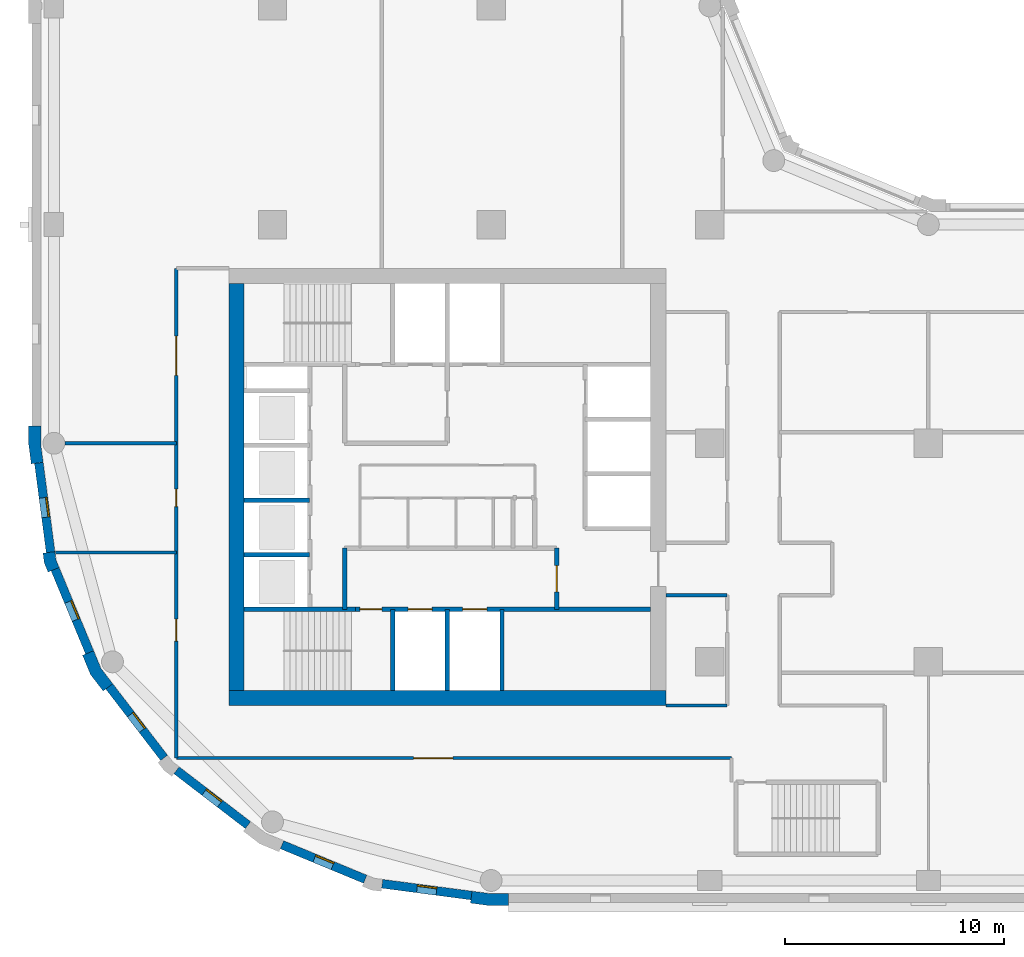
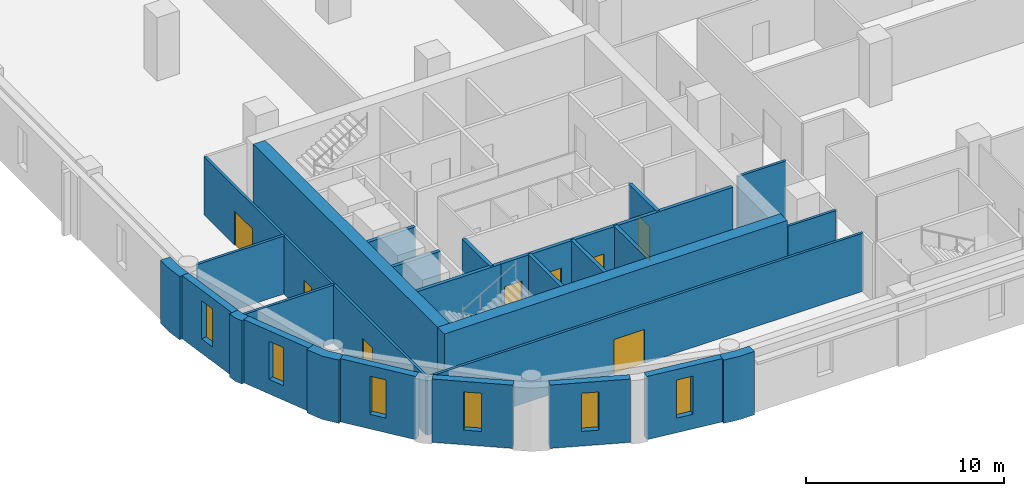
# One storey, part 2 of 9: 27 walls, 8 doors, 6 windows, 14 openings.
"""IFC4 building model written with IfcOpenShell, lengths in metres."""

from ifc_helpers import new_model, si_unit, direction, frame, frame_2d, origin, place, context, subcontext, project, spatial, polyline, rectangle, outline, extrude, material, layer, layer_set, type_object, element, fill, save


model = new_model("IFC4")

# Units and contexts
model_context = context("Model", 3, precision=1e-05, world=origin(), true_north=direction((0.0, 1.0)))
body_context = subcontext(model_context, "Body", "Model", "MODEL_VIEW")
ifc_project = project(units=[si_unit("LENGTHUNIT", "METRE"), si_unit("AREAUNIT", "SQUARE_METRE"), si_unit("VOLUMEUNIT", "CUBIC_METRE"), si_unit("PLANEANGLEUNIT", "RADIAN"), si_unit("MASSUNIT", "GRAM", prefix="KILO")], contexts=[model_context])

# Site, building, storey
site_placement = place(None, origin())
site = spatial("IfcSite", under=ifc_project, at=site_placement, CompositionType="ELEMENT")
building_placement = place(site_placement, origin())
building = spatial("IfcBuilding", under=site, at=building_placement, Name="Qaws Garden Tower", CompositionType="ELEMENT")
storey_placement = place(building_placement, frame((0.0, 0.0, 217.5)))
storey = spatial("IfcBuildingStorey", under=building, at=storey_placement, Name="L53", CompositionType="ELEMENT", Elevation=217.5)

# Wall, opening, window
ifc_material_1 = material(Name="Clay facing brick masonry", Category="masonry")
ifc_layer_1 = layer(ifc_material_1, 0.39990234375)
ifc_layer_set_1 = layer_set([ifc_layer_1], Name="Clay facing brick masonry")
wall_type_1 = type_object("IfcWallType", Name="Brick infill wall 400", PredefinedType="SOLIDWALL", material=ifc_layer_set_1)
wall_1_placement = place(storey_placement, frame((-0.688720703125, 19.102294921875, 0.0), z_axis=(0.0, 0.0, 1.0), x_axis=(0.130514280502, -0.991446429508, 0.0)))
wall_1 = element("IfcWall", 1, at=wall_1_placement, inside=storey, type_object=wall_type_1, Name="E-L53-infill-25", PredefinedType="SOLIDWALL", context=body_context, shape_type="SweptSolid", body=[
    extrude(rectangle(XDim=4.120849609375, YDim=0.39990234375, at=frame_2d((2.060546875, 0.0))), origin(), (0.0, 0.0, 1.0), 3.89990234375),
])
opening_1_placement = place(wall_1_placement, frame((1.610595703125, 0.0, 0.89990234375)))
opening_1 = element("IfcOpeningElement", 2, at=opening_1_placement, cuts=wall_1, Name="Opening W09", PredefinedType="OPENING", context=body_context, shape_type="SweptSolid", body=[
    extrude(rectangle(XDim=0.89990234375, YDim=2.35009765625, at=frame_2d((0.449951171875, 1.175048828125))), frame((0.0, 0.2099609375, 0.0), z_axis=(0.0, -1.0, 0.0), x_axis=(1.0, 0.0, 0.0)), (0.0, 0.0, 1.0), 0.419921875),
])
ifc_material_2 = material(Name="Aluminium framed window, clear glazing", Category="aluminium")
window_type = type_object("IfcWindowType", Name="Slit window 900 x 2350", PartitioningType="SINGLE_PANEL", PredefinedType="WINDOW", material=ifc_material_2)
window_1_placement = place(opening_1_placement, origin())
window_1 = element("IfcWindow", 3, at=window_1_placement, inside=storey, type_object=window_type, Name="E-L53-window-25-0", OverallHeight=2.35009765625, OverallWidth=0.89990234375, PartitioningType="SINGLE_PANEL", PredefinedType="WINDOW", context=body_context, shape_type="SweptSolid", body=[
    extrude(rectangle(XDim=0.89990234375, YDim=2.35009765625, at=frame_2d((0.449951171875, 1.175048828125))), frame((0.0, 0.159912109375, 0.0), z_axis=(0.0, -1.0, 0.0), x_axis=(1.0, 0.0, 0.0)), (0.0, 0.0, 1.0), 0.06005859375),
])
fill(opening_1, window_1)

wall_2_placement = place(storey_placement, frame((0.05712890625, 14.240234375, 0.0), z_axis=(0.0, 0.0, 1.0), x_axis=(0.382721546029, -0.923863744394, 0.0)))
wall_2 = element("IfcWall", 4, at=wall_2_placement, inside=storey, type_object=wall_type_1, Name="E-L53-infill-26", PredefinedType="SOLIDWALL", context=body_context, shape_type="SweptSolid", body=[
    extrude(rectangle(XDim=4.120849609375, YDim=0.39990234375, at=frame_2d((2.060546875, 0.0))), origin(), (0.0, 0.0, 1.0), 3.89990234375),
])
opening_2_placement = place(wall_2_placement, frame((1.610595703125, 0.0, 0.89990234375)))
opening_2 = element("IfcOpeningElement", 5, at=opening_2_placement, cuts=wall_2, Name="Opening W09", PredefinedType="OPENING", context=body_context, shape_type="SweptSolid", body=[
    extrude(rectangle(XDim=0.89990234375, YDim=2.35009765625, at=frame_2d((0.449951171875, 1.175048828125))), frame((0.0, 0.2099609375, 0.0), z_axis=(0.0, -1.0, 0.0), x_axis=(1.0, 0.0, 0.0)), (0.0, 0.0, 1.0), 0.419921875),
])
window_2_placement = place(opening_2_placement, origin())
window_2 = element("IfcWindow", 6, at=window_2_placement, inside=storey, type_object=window_type, Name="E-L53-window-26-0", OverallHeight=2.35009765625, OverallWidth=0.89990234375, PartitioningType="SINGLE_PANEL", PredefinedType="WINDOW", context=body_context, shape_type="SweptSolid", body=[
    extrude(rectangle(XDim=0.89990234375, YDim=2.35009765625, at=frame_2d((0.449951171875, 1.175048828125))), frame((0.0, 0.159912109375, 0.0), z_axis=(0.0, -1.0, 0.0), x_axis=(1.0, 0.0, 0.0)), (0.0, 0.0, 1.0), 0.06005859375),
])
fill(opening_2, window_2)

wall_3_placement = place(storey_placement, frame((2.53173828125, 8.87841796875, 0.0), z_axis=(0.0, 0.0, 1.0), x_axis=(0.608759824817, -0.793354571229, 0.0)))
wall_3 = element("IfcWall", 7, at=wall_3_placement, inside=storey, type_object=wall_type_1, Name="E-L53-infill-27", PredefinedType="SOLIDWALL", context=body_context, shape_type="SweptSolid", body=[
    extrude(rectangle(XDim=4.12109375, YDim=0.39990234375, at=frame_2d((2.060546875, 0.0))), origin(), (0.0, 0.0, 1.0), 3.89990234375),
])
opening_3_placement = place(wall_3_placement, frame((1.610595703125, 0.0, 0.89990234375)))
opening_3 = element("IfcOpeningElement", 8, at=opening_3_placement, cuts=wall_3, Name="Opening W09", PredefinedType="OPENING", context=body_context, shape_type="SweptSolid", body=[
    extrude(rectangle(XDim=0.89990234375, YDim=2.35009765625, at=frame_2d((0.449951171875, 1.175048828125))), frame((0.0, 0.2099609375, 0.0), z_axis=(0.0, -1.0, 0.0), x_axis=(1.0, 0.0, 0.0)), (0.0, 0.0, 1.0), 0.419921875),
])
window_3_placement = place(opening_3_placement, origin())
window_3 = element("IfcWindow", 9, at=window_3_placement, inside=storey, type_object=window_type, Name="E-L53-window-27-0", OverallHeight=2.35009765625, OverallWidth=0.89990234375, PartitioningType="SINGLE_PANEL", PredefinedType="WINDOW", context=body_context, shape_type="SweptSolid", body=[
    extrude(rectangle(XDim=0.89990234375, YDim=2.35009765625, at=frame_2d((0.449951171875, 1.175048828125))), frame((0.0, 0.159912109375, 0.0), z_axis=(0.0, -1.0, 0.0), x_axis=(1.0, 0.0, 0.0)), (0.0, 0.0, 1.0), 0.06005859375),
])
fill(opening_3, window_3)

wall_4_placement = place(storey_placement, frame((5.60888671875, 5.04052734375, 0.0), z_axis=(0.0, 0.0, 1.0), x_axis=(0.793354571229, -0.608759824817, 0.0)))
wall_4 = element("IfcWall", 10, at=wall_4_placement, inside=storey, type_object=wall_type_1, Name="E-L53-infill-28", PredefinedType="SOLIDWALL", context=body_context, shape_type="SweptSolid", body=[
    extrude(rectangle(XDim=4.12109375, YDim=0.39990234375, at=frame_2d((2.060546875, 0.0))), origin(), (0.0, 0.0, 1.0), 3.89990234375),
])
opening_4_placement = place(wall_4_placement, frame((1.610595703125, 0.0, 0.89990234375)))
opening_4 = element("IfcOpeningElement", 11, at=opening_4_placement, cuts=wall_4, Name="Opening W09", PredefinedType="OPENING", context=body_context, shape_type="SweptSolid", body=[
    extrude(rectangle(XDim=0.89990234375, YDim=2.35009765625, at=frame_2d((0.449951171875, 1.175048828125))), frame((0.0, 0.2099609375, 0.0), z_axis=(0.0, -1.0, 0.0), x_axis=(1.0, 0.0, 0.0)), (0.0, 0.0, 1.0), 0.419921875),
])
window_4_placement = place(opening_4_placement, origin())
window_4 = element("IfcWindow", 12, at=window_4_placement, inside=storey, type_object=window_type, Name="E-L53-window-28-0", OverallHeight=2.35009765625, OverallWidth=0.89990234375, PartitioningType="SINGLE_PANEL", PredefinedType="WINDOW", context=body_context, shape_type="SweptSolid", body=[
    extrude(rectangle(XDim=0.89990234375, YDim=2.35009765625, at=frame_2d((0.449951171875, 1.175048828125))), frame((0.0, 0.159912109375, 0.0), z_axis=(0.0, -1.0, 0.0), x_axis=(1.0, 0.0, 0.0)), (0.0, 0.0, 1.0), 0.06005859375),
])
fill(opening_4, window_4)

wall_5_placement = place(storey_placement, frame((10.43310546875, 1.63427734375, 0.0), z_axis=(0.0, 0.0, 1.0), x_axis=(0.923863744394, -0.382721546029, 0.0)))
wall_5 = element("IfcWall", 13, at=wall_5_placement, inside=storey, type_object=wall_type_1, Name="E-L53-infill-29", PredefinedType="SOLIDWALL", context=body_context, shape_type="SweptSolid", body=[
    extrude(rectangle(XDim=4.120849609375, YDim=0.39990234375, at=frame_2d((2.060546875, 0.0))), origin(), (0.0, 0.0, 1.0), 3.89990234375),
])
opening_5_placement = place(wall_5_placement, frame((1.610595703125, 0.0, 0.89990234375)))
opening_5 = element("IfcOpeningElement", 14, at=opening_5_placement, cuts=wall_5, Name="Opening W09", PredefinedType="OPENING", context=body_context, shape_type="SweptSolid", body=[
    extrude(rectangle(XDim=0.89990234375, YDim=2.35009765625, at=frame_2d((0.449951171875, 1.175048828125))), frame((0.0, 0.2099609375, 0.0), z_axis=(0.0, -1.0, 0.0), x_axis=(1.0, 0.0, 0.0)), (0.0, 0.0, 1.0), 0.419921875),
])
window_5_placement = place(opening_5_placement, origin())
window_5 = element("IfcWindow", 15, at=window_5_placement, inside=storey, type_object=window_type, Name="E-L53-window-29-0", OverallHeight=2.35009765625, OverallWidth=0.89990234375, PartitioningType="SINGLE_PANEL", PredefinedType="WINDOW", context=body_context, shape_type="SweptSolid", body=[
    extrude(rectangle(XDim=0.89990234375, YDim=2.35009765625, at=frame_2d((0.449951171875, 1.175048828125))), frame((0.0, 0.159912109375, 0.0), z_axis=(0.0, -1.0, 0.0), x_axis=(1.0, 0.0, 0.0)), (0.0, 0.0, 1.0), 0.06005859375),
])
fill(opening_5, window_5)

wall_6_placement = place(storey_placement, frame((15.0166015625, -0.15087890625, 0.0), z_axis=(0.0, 0.0, 1.0), x_axis=(0.991446429508, -0.130514280502, 0.0)))
wall_6 = element("IfcWall", 16, at=wall_6_placement, inside=storey, type_object=wall_type_1, Name="E-L53-infill-30", PredefinedType="SOLIDWALL", context=body_context, shape_type="SweptSolid", body=[
    extrude(rectangle(XDim=4.120849609375, YDim=0.39990234375, at=frame_2d((2.060546875, 0.0))), origin(), (0.0, 0.0, 1.0), 3.89990234375),
])
opening_6_placement = place(wall_6_placement, frame((1.610595703125, 0.0, 0.89990234375)))
opening_6 = element("IfcOpeningElement", 17, at=opening_6_placement, cuts=wall_6, Name="Opening W09", PredefinedType="OPENING", context=body_context, shape_type="SweptSolid", body=[
    extrude(rectangle(XDim=0.89990234375, YDim=2.35009765625, at=frame_2d((0.449951171875, 1.175048828125))), frame((0.0, 0.2099609375, 0.0), z_axis=(0.0, -1.0, 0.0), x_axis=(1.0, 0.0, 0.0)), (0.0, 0.0, 1.0), 0.419921875),
])
window_6_placement = place(opening_6_placement, origin())
window_6 = element("IfcWindow", 18, at=window_6_placement, inside=storey, type_object=window_type, Name="E-L53-window-30-0", OverallHeight=2.35009765625, OverallWidth=0.89990234375, PartitioningType="SINGLE_PANEL", PredefinedType="WINDOW", context=body_context, shape_type="SweptSolid", body=[
    extrude(rectangle(XDim=0.89990234375, YDim=2.35009765625, at=frame_2d((0.449951171875, 1.175048828125))), frame((0.0, 0.159912109375, 0.0), z_axis=(0.0, -1.0, 0.0), x_axis=(1.0, 0.0, 0.0)), (0.0, 0.0, 1.0), 0.06005859375),
])
fill(opening_6, window_6)

# Walls
ifc_material_3 = material(Name="Clay facing brick masonry", Category="masonry")
ifc_layer_2 = layer(ifc_material_3, 0.550048828125)
ifc_layer_set_2 = layer_set([ifc_layer_2], Name="Clay facing brick masonry")
wall_type_2 = type_object("IfcWallType", Name="Brick kink pier 550 x 600", PredefinedType="SOLIDWALL", material=ifc_layer_set_2)
placement = place(storey_placement, origin())
element("IfcWall", 19, at=placement, inside=storey, type_object=wall_type_2, Name="E-L53-pier-26", PredefinedType="SOLIDWALL", context=body_context, shape_type="SweptSolid", body=[
    extrude(outline(polyline([(-0.34912109375, 14.990478515625), (-0.497802734375, 14.970947265625), (-0.43896484375, 14.5234375), (-0.26611328125, 14.1064453125), (-0.127685546875, 14.163818359375), (0.241943359375, 14.31689453125), (0.096923828125, 14.6669921875), (0.04736328125, 15.042724609375), (-0.34912109375, 14.990478515625)])), origin(), (0.0, 0.0, 1.0), 3.89990234375),
])
ifc_material_4 = material(Name="Clay facing brick masonry", Category="masonry")
ifc_layer_3 = layer(ifc_material_4, 0.550048828125)
ifc_layer_set_3 = layer_set([ifc_layer_3], Name="Clay facing brick masonry")
wall_type_3 = type_object("IfcWallType", Name="Brick pier 550 x 1600", PredefinedType="SOLIDWALL", material=ifc_layer_set_3)
element("IfcWall", 20, at=placement, inside=storey, type_object=wall_type_3, Name="E-L53-pier-00", PredefinedType="SOLIDWALL", context=body_context, shape_type="SweptSolid", body=[
    extrude(outline(polyline([(19.076416015625, -0.886962890625), (19.056640625, -1.03564453125), (19.924560546875, -1.14990234375), (20.800048828125, -1.14990234375), (20.800048828125, -1.0), (20.800048828125, -0.60009765625), (19.960693359375, -0.60009765625), (19.12841796875, -0.490478515625), (19.076416015625, -0.886962890625)])), origin(), (0.0, 0.0, 1.0), 3.89990234375),
])
element("IfcWall", 21, at=placement, inside=storey, type_object=wall_type_3, Name="E-L53-pier-25", PredefinedType="SOLIDWALL", context=body_context, shape_type="SweptSolid", body=[
    extrude(outline(polyline([(-1.0, 20.800048828125), (-1.14990234375, 20.800048828125), (-1.14990234375, 19.924560546875), (-1.03564453125, 19.056640625), (-0.886962890625, 19.076416015625), (-0.490478515625, 19.12841796875), (-0.60009765625, 19.960693359375), (-0.60009765625, 20.800048828125), (-1.0, 20.800048828125)])), origin(), (0.0, 0.0, 1.0), 3.89990234375),
])
element("IfcWall", 22, at=placement, inside=storey, type_object=wall_type_3, Name="E-L53-pier-27", PredefinedType="SOLIDWALL", context=body_context, shape_type="SweptSolid", body=[
    extrude(outline(polyline([(1.449462890625, 10.3564453125), (1.310791015625, 10.299072265625), (1.675048828125, 9.419921875), (2.254150390625, 8.665283203125), (2.373046875, 8.756591796875), (2.6904296875, 9.0), (2.1552734375, 9.697509765625), (1.819091796875, 10.509521484375), (1.449462890625, 10.3564453125)])), origin(), (0.0, 0.0, 1.0), 3.89990234375),
])
ifc_material_5 = material(Name="Concrete C70", Category="concrete")
ifc_layer_4 = layer(ifc_material_5, 0.199951171875)
ifc_layer_set_4 = layer_set([ifc_layer_4], Name="Concrete C70")
wall_type_4 = type_object("IfcWallType", Name="Core shaft wall 200 C70", PredefinedType="SHEAR", material=ifc_layer_set_4)
wall_11_placement = place(storey_placement, frame((8.699951171875, 12.39990234375, 0.0), z_axis=(0.0, 0.0, 1.0), x_axis=(1.0, 0.0, 0.0)))
element("IfcWall", 23, at=wall_11_placement, inside=storey, type_object=wall_type_4, Name="Shaft wall", PredefinedType="SHEAR", context=body_context, shape_type="SweptSolid", body=[
    extrude(rectangle(XDim=5.10009765625, YDim=0.199951171875, at=frame_2d((2.550048828125, 0.0))), origin(), (0.0, 0.0, 1.0), 3.580078125),
])

# Wall, openings, doors
wall_12_placement = place(storey_placement, frame((13.800048828125, 12.39990234375, 0.0), z_axis=(0.0, 0.0, 1.0), x_axis=(1.0, 0.0, 0.0)))
wall_12 = element("IfcWall", 24, at=wall_12_placement, inside=storey, type_object=wall_type_4, Name="Shaft wall", PredefinedType="SHEAR", context=body_context, shape_type="SweptSolid", body=[
    extrude(rectangle(XDim=13.5, YDim=0.199951171875, at=frame_2d((6.75, 0.0))), origin(), (0.0, 0.0, 1.0), 3.580078125),
])
opening_7_placement = place(wall_12_placement, frame((2.39990234375, 0.0, 0.0)))
opening_7 = element("IfcOpeningElement", 25, at=opening_7_placement, cuts=wall_12, Name="Opening LD06", PredefinedType="OPENING", context=body_context, shape_type="SweptSolid", body=[
    extrude(rectangle(XDim=1.10009765625, YDim=2.10009765625, at=frame_2d((0.550048828125, 1.050048828125))), frame((0.0, 0.10986328125, 0.0), z_axis=(0.0, -1.0, 0.0), x_axis=(1.0, 0.0, 0.0)), (0.0, 0.0, 1.0), 0.219970703125),
])
opening_8_placement = place(wall_12_placement, frame((4.89990234375, 0.0, 0.0)))
opening_8 = element("IfcOpeningElement", 26, at=opening_8_placement, cuts=wall_12, Name="Opening LD07", PredefinedType="OPENING", context=body_context, shape_type="SweptSolid", body=[
    extrude(rectangle(XDim=1.10009765625, YDim=2.10009765625, at=frame_2d((0.550048828125, 1.050048828125))), frame((0.0, 0.10986328125, 0.0), z_axis=(0.0, -1.0, 0.0), x_axis=(1.0, 0.0, 0.0)), (0.0, 0.0, 1.0), 0.219970703125),
])
opening_9_placement = place(wall_12_placement, frame((0.199951171875, 0.0, 0.0)))
opening_9 = element("IfcOpeningElement", 27, at=opening_9_placement, cuts=wall_12, Name="Opening SD10", PredefinedType="OPENING", context=body_context, shape_type="SweptSolid", body=[
    extrude(rectangle(XDim=1.0, YDim=2.10009765625, at=frame_2d((0.5, 1.050048828125))), frame((0.0, 0.10986328125, 0.0), z_axis=(0.0, -1.0, 0.0), x_axis=(1.0, 0.0, 0.0)), (0.0, 0.0, 1.0), 0.219970703125),
])
ifc_material_6 = material(Name="Steel S235", Category="steel")
door_type_1 = type_object("IfcDoorType", Name="Landing door 1100x2100", OperationType="DOUBLE_DOOR_SLIDING", PredefinedType="DOOR", material=ifc_material_6)
door_1_placement = place(opening_7_placement, origin())
door_1 = element("IfcDoor", 28, at=door_1_placement, inside=storey, type_object=door_type_1, Name="Lift FF1 landing door", OperationType="DOUBLE_DOOR_SLIDING", OverallHeight=2.10009765625, OverallWidth=1.10009765625, PredefinedType="DOOR", context=body_context, shape_type="SweptSolid", body=[
    extrude(rectangle(XDim=1.10009765625, YDim=2.10009765625, at=frame_2d((0.550048828125, 1.050048828125))), frame((0.0, 0.02490234375, 0.0), z_axis=(0.0, -1.0, 0.0), x_axis=(1.0, 0.0, 0.0)), (0.0, 0.0, 1.0), 0.050048828125),
])
fill(opening_7, door_1)
door_2_placement = place(opening_8_placement, origin())
door_2 = element("IfcDoor", 29, at=door_2_placement, inside=storey, type_object=door_type_1, Name="Lift FF2 landing door", OperationType="DOUBLE_DOOR_SLIDING", OverallHeight=2.10009765625, OverallWidth=1.10009765625, PredefinedType="DOOR", context=body_context, shape_type="SweptSolid", body=[
    extrude(rectangle(XDim=1.10009765625, YDim=2.10009765625, at=frame_2d((0.550048828125, 1.050048828125))), frame((0.0, 0.02490234375, 0.0), z_axis=(0.0, -1.0, 0.0), x_axis=(1.0, 0.0, 0.0)), (0.0, 0.0, 1.0), 0.050048828125),
])
fill(opening_8, door_2)
ifc_material_7 = material(Name="Steel S235", Category="steel")
door_type_2 = type_object("IfcDoorType", Name="Stair door 1000x2100", OperationType="SINGLE_SWING_RIGHT", PredefinedType="DOOR", material=ifc_material_7)
door_3_placement = place(opening_9_placement, frame((1.0, 0.0, 0.0), z_axis=(0.0, 0.0, 1.0), x_axis=(-1.0, 0.0, 0.0)))
door_3 = element("IfcDoor", 30, at=door_3_placement, inside=storey, type_object=door_type_2, Name="Stair 1 door", OperationType="SINGLE_SWING_LEFT", OverallHeight=2.10009765625, OverallWidth=1.0, PredefinedType="DOOR", context=body_context, shape_type="SweptSolid", body=[
    extrude(rectangle(XDim=1.0, YDim=2.10009765625, at=frame_2d((0.5, 1.050048828125))), frame((0.0, 0.02490234375, 0.0), z_axis=(0.0, -1.0, 0.0), x_axis=(1.0, 0.0, 0.0)), (0.0, 0.0, 1.0), 0.050048828125),
])
fill(opening_9, door_3)

# Walls
for number, where, z_axis, x_axis, name in (
    (31, (8.699951171875, 14.89990234375, 0.0), (0.0, 0.0, 1.0), (1.0, 0.0, 0.0), "Shaft wall"),
    (32, (8.699951171875, 17.39990234375, 0.0), (0.0, 0.0, 1.0), (1.0, 0.0, 0.0), "Shaft wall"),
):
    element("IfcWall", number, at=place(storey_placement, frame(where, z_axis=z_axis, x_axis=x_axis)), inside=storey, type_object=wall_type_4, Name=name, PredefinedType="SHEAR", context=body_context, shape_type="SweptSolid", body=[
        extrude(rectangle(XDim=3.0, YDim=0.199951171875, at=frame_2d((1.5, 0.0))), origin(), (0.0, 0.0, 1.0), 3.580078125),
    ])
wall_13_placement = place(storey_placement, frame((13.300048828125, 12.39990234375, 0.0), z_axis=(0.0, 0.0, 1.0), x_axis=(0.0, 1.0, 0.0)))
element("IfcWall", 33, at=wall_13_placement, inside=storey, type_object=wall_type_4, Name="Shaft wall", PredefinedType="SHEAR", context=body_context, shape_type="SweptSolid", body=[
    extrude(rectangle(XDim=2.800048828125, YDim=0.199951171875, at=frame_2d((1.39990234375, 0.0))), origin(), (0.0, 0.0, 1.0), 3.580078125),
])
for number, where, z_axis, x_axis, name in (
    (34, (15.5, 8.699951171875, 0.0), (0.0, 0.0, 1.0), (0.0, 1.0, 0.0), "Shaft wall"),
    (35, (18.0, 8.699951171875, 0.0), (0.0, 0.0, 1.0), (0.0, 1.0, 0.0), "Shaft wall"),
    (36, (20.5, 8.699951171875, 0.0), (0.0, 0.0, 1.0), (0.0, 1.0, 0.0), "Shaft wall"),
):
    element("IfcWall", number, at=place(storey_placement, frame(where, z_axis=z_axis, x_axis=x_axis)), inside=storey, type_object=wall_type_4, Name=name, PredefinedType="SHEAR", context=body_context, shape_type="SweptSolid", body=[
        extrude(rectangle(XDim=3.699951171875, YDim=0.199951171875, at=frame_2d((1.85009765625, 0.0))), origin(), (0.0, 0.0, 1.0), 3.580078125),
    ])

# Wall, opening, door
wall_14_placement = place(storey_placement, frame((23.0, 12.39990234375, 0.0), z_axis=(0.0, 0.0, 1.0), x_axis=(0.0, 1.0, 0.0)))
wall_14 = element("IfcWall", 37, at=wall_14_placement, inside=storey, type_object=wall_type_4, Name="Shaft wall", PredefinedType="SHEAR", context=body_context, shape_type="SweptSolid", body=[
    extrude(rectangle(XDim=2.800048828125, YDim=0.199951171875, at=frame_2d((1.39990234375, 0.0))), origin(), (0.0, 0.0, 1.0), 3.580078125),
])
opening_10_placement = place(wall_14_placement, frame((0.800048828125, 0.0, 0.0)))
opening_10 = element("IfcOpeningElement", 38, at=opening_10_placement, cuts=wall_14, Name="Opening FD15", PredefinedType="OPENING", context=body_context, shape_type="SweptSolid", body=[
    extrude(rectangle(XDim=1.199951171875, YDim=2.10009765625, at=frame_2d((0.60009765625, 1.050048828125))), frame((0.0, 0.10986328125, 0.0), z_axis=(0.0, -1.0, 0.0), x_axis=(1.0, 0.0, 0.0)), (0.0, 0.0, 1.0), 0.219970703125),
])
ifc_material_8 = material(Name="Steel S235", Category="steel")
door_type_3 = type_object("IfcDoorType", Name="Lobby door 1200x2100", OperationType="DOUBLE_DOOR_SINGLE_SWING", PredefinedType="DOOR", material=ifc_material_8)
door_4_placement = place(opening_10_placement, origin())
door_4 = element("IfcDoor", 39, at=door_4_placement, inside=storey, type_object=door_type_3, Name="Fire-fighting lobby door", OperationType="DOUBLE_DOOR_SINGLE_SWING", OverallHeight=2.10009765625, OverallWidth=1.199951171875, PredefinedType="DOOR", context=body_context, shape_type="SweptSolid", body=[
    extrude(rectangle(XDim=1.199951171875, YDim=2.10009765625, at=frame_2d((0.60009765625, 1.050048828125))), frame((0.0, 0.02490234375, 0.0), z_axis=(0.0, -1.0, 0.0), x_axis=(1.0, 0.0, 0.0)), (0.0, 0.0, 1.0), 0.050048828125),
])
fill(opening_10, door_4)

# Walls
ifc_material_9 = material(Name="Concrete C70", Category="concrete")
ifc_layer_5 = layer(ifc_material_9, 0.699951171875)
ifc_layer_set_5 = layer_set([ifc_layer_5], Name="Concrete C70")
wall_type_5 = type_object("IfcWallType", Name="Core wall 700 C70", PredefinedType="SHEAR", material=ifc_layer_set_5)
wall_15_placement = place(storey_placement, frame((8.0, 8.35009765625, 0.0), z_axis=(0.0, 0.0, 1.0), x_axis=(1.0, 0.0, 0.0)))
element("IfcWall", 40, at=wall_15_placement, inside=storey, type_object=wall_type_5, Name="Core wall L53 south", PredefinedType="SHEAR", context=body_context, shape_type="SweptSolid", body=[
    extrude(rectangle(XDim=20.0, YDim=0.699951171875, at=frame_2d((10.0, 0.0))), origin(), (0.0, 0.0, 1.0), 3.89990234375),
])
wall_16_placement = place(storey_placement, frame((8.35009765625, 27.300048828125, 0.0), z_axis=(0.0, 0.0, 1.0), x_axis=(0.0, -1.0, 0.0)))
element("IfcWall", 41, at=wall_16_placement, inside=storey, type_object=wall_type_5, Name="Core wall L53 west", PredefinedType="SHEAR", context=body_context, shape_type="SweptSolid", body=[
    extrude(rectangle(XDim=18.60009765625, YDim=0.699951171875, at=frame_2d((9.300048828125, 0.0))), origin(), (0.0, 0.0, 1.0), 3.89990234375),
])

# Wall, openings, doors
ifc_material_10 = material(Name="Gypsum board partition")
ifc_layer_6 = layer(ifc_material_10, 0.14990234375)
ifc_layer_set_6 = layer_set([ifc_layer_6], Name="Gypsum board partition")
wall_type_6 = type_object("IfcWallType", Name="PARTITION 150 EI 60", PredefinedType="PARTITIONING", material=ifc_layer_set_6)
wall_17_placement = place(storey_placement, frame((5.60009765625, 5.60009765625, 0.0), z_axis=(0.0, 0.0, 1.0), x_axis=(0.0, 1.0, 0.0)))
wall_17 = element("IfcWall", 42, at=wall_17_placement, inside=storey, type_object=wall_type_6, Name="O-L53-wall-003", PredefinedType="PARTITIONING", context=body_context, shape_type="SweptSolid", body=[
    extrude(rectangle(XDim=22.39990234375, YDim=0.14990234375, at=frame_2d((11.199951171875, 0.0))), origin(), (0.0, 0.0, 1.0), 3.580078125),
])
opening_11_placement = place(wall_17_placement, frame((5.35009765625, 0.0, 0.0)))
opening_11 = element("IfcOpeningElement", 43, at=opening_11_placement, cuts=wall_17, Name="Opening B801", PredefinedType="OPENING", context=body_context, shape_type="SweptSolid", body=[
    extrude(rectangle(XDim=1.0, YDim=2.10009765625, at=frame_2d((0.5, 1.050048828125))), frame((0.0, 0.0849609375, 0.0), z_axis=(0.0, -1.0, 0.0), x_axis=(1.0, 0.0, 0.0)), (0.0, 0.0, 1.0), 0.169921875),
])
opening_12_placement = place(wall_17_placement, frame((11.5, 0.0, 0.0)))
opening_12 = element("IfcOpeningElement", 44, at=opening_12_placement, cuts=wall_17, Name="Opening B802", PredefinedType="OPENING", context=body_context, shape_type="SweptSolid", body=[
    extrude(rectangle(XDim=0.800048828125, YDim=2.10009765625, at=frame_2d((0.39990234375, 1.050048828125))), frame((0.0, 0.0849609375, 0.0), z_axis=(0.0, -1.0, 0.0), x_axis=(1.0, 0.0, 0.0)), (0.0, 0.0, 1.0), 0.169921875),
])
opening_13_placement = place(wall_17_placement, frame((17.5, 0.0, 0.0)))
opening_13 = element("IfcOpeningElement", 45, at=opening_13_placement, cuts=wall_17, Name="Opening B804", PredefinedType="OPENING", context=body_context, shape_type="SweptSolid", body=[
    extrude(rectangle(XDim=1.800048828125, YDim=2.10009765625, at=frame_2d((0.89990234375, 1.050048828125))), frame((0.0, 0.0849609375, 0.0), z_axis=(0.0, -1.0, 0.0), x_axis=(1.0, 0.0, 0.0)), (0.0, 0.0, 1.0), 0.169921875),
])
ifc_material_11 = material(Name="Timber door leaf", Category="wood")
door_type_4 = type_object("IfcDoorType", Name="DOUBLE DOOR 1800 X 2100", OperationType="DOUBLE_DOOR_SINGLE_SWING", PredefinedType="DOOR", material=ifc_material_11)
door_5_placement = place(opening_13_placement, origin())
door_5 = element("IfcDoor", 46, at=door_5_placement, inside=storey, type_object=door_type_4, Name="O-L53-door-004", OperationType="DOUBLE_DOOR_SINGLE_SWING", OverallHeight=2.10009765625, OverallWidth=1.800048828125, PredefinedType="DOOR", context=body_context, shape_type="SweptSolid", body=[
    extrude(rectangle(XDim=1.800048828125, YDim=2.10009765625, at=frame_2d((0.89990234375, 1.050048828125))), frame((0.0, 0.02490234375, 0.0), z_axis=(0.0, -1.0, 0.0), x_axis=(1.0, 0.0, 0.0)), (0.0, 0.0, 1.0), 0.050048828125),
])
fill(opening_13, door_5)
ifc_material_12 = material(Name="Timber door leaf", Category="wood")
door_type_5 = type_object("IfcDoorType", Name="STORE DOOR 800 X 2100", OperationType="SINGLE_SWING_LEFT", PredefinedType="DOOR", material=ifc_material_12)
door_6_placement = place(opening_12_placement, origin())
door_6 = element("IfcDoor", 47, at=door_6_placement, inside=storey, type_object=door_type_5, Name="O-L53-door-002", OperationType="SINGLE_SWING_RIGHT", OverallHeight=2.10009765625, OverallWidth=0.800048828125, PredefinedType="DOOR", context=body_context, shape_type="SweptSolid", body=[
    extrude(rectangle(XDim=0.800048828125, YDim=2.10009765625, at=frame_2d((0.39990234375, 1.050048828125))), frame((0.0, 0.02490234375, 0.0), z_axis=(0.0, -1.0, 0.0), x_axis=(1.0, 0.0, 0.0)), (0.0, 0.0, 1.0), 0.050048828125),
])
fill(opening_12, door_6)
ifc_material_13 = material(Name="Timber door leaf", Category="wood")
door_type_6 = type_object("IfcDoorType", Name="TENANCY ENTRANCE DOOR 1000 X 2100", OperationType="SINGLE_SWING_LEFT", PredefinedType="DOOR", material=ifc_material_13)
door_7_placement = place(opening_11_placement, origin())
door_7 = element("IfcDoor", 48, at=door_7_placement, inside=storey, type_object=door_type_6, Name="O-L53-door-001", OperationType="SINGLE_SWING_RIGHT", OverallHeight=2.10009765625, OverallWidth=1.0, PredefinedType="DOOR", context=body_context, shape_type="SweptSolid", body=[
    extrude(rectangle(XDim=1.0, YDim=2.10009765625, at=frame_2d((0.5, 1.050048828125))), frame((0.0, 0.02490234375, 0.0), z_axis=(0.0, -1.0, 0.0), x_axis=(1.0, 0.0, 0.0)), (0.0, 0.0, 1.0), 0.050048828125),
])
fill(opening_11, door_7)

# Wall, opening, door
wall_18_placement = place(storey_placement, frame((5.60009765625, 5.60009765625, 0.0), z_axis=(0.0, 0.0, 1.0), x_axis=(1.0, 0.0, 0.0)))
wall_18 = element("IfcWall", 49, at=wall_18_placement, inside=storey, type_object=wall_type_6, Name="O-L53-wall-021", PredefinedType="PARTITIONING", context=body_context, shape_type="SweptSolid", body=[
    extrude(rectangle(XDim=25.39990234375, YDim=0.14990234375, at=frame_2d((12.699951171875, 0.0))), origin(), (0.0, 0.0, 1.0), 3.580078125),
])
opening_14_placement = place(wall_18_placement, frame((10.85009765625, 0.0, 0.0)))
opening_14 = element("IfcOpeningElement", 50, at=opening_14_placement, cuts=wall_18, Name="Opening B808", PredefinedType="OPENING", context=body_context, shape_type="SweptSolid", body=[
    extrude(rectangle(XDim=1.800048828125, YDim=2.10009765625, at=frame_2d((0.89990234375, 1.050048828125))), frame((0.0, 0.0849609375, 0.0), z_axis=(0.0, -1.0, 0.0), x_axis=(1.0, 0.0, 0.0)), (0.0, 0.0, 1.0), 0.169921875),
])
door_8_placement = place(opening_14_placement, frame((1.800048828125, 0.0, 0.0), z_axis=(0.0, 0.0, 1.0), x_axis=(-1.0, 0.0, 0.0)))
door_8 = element("IfcDoor", 51, at=door_8_placement, inside=storey, type_object=door_type_4, Name="O-L53-door-008", OperationType="DOUBLE_DOOR_SINGLE_SWING", OverallHeight=2.10009765625, OverallWidth=1.800048828125, PredefinedType="DOOR", context=body_context, shape_type="SweptSolid", body=[
    extrude(rectangle(XDim=1.800048828125, YDim=2.10009765625, at=frame_2d((0.89990234375, 1.050048828125))), frame((0.0, 0.02490234375, 0.0), z_axis=(0.0, -1.0, 0.0), x_axis=(1.0, 0.0, 0.0)), (0.0, 0.0, 1.0), 0.050048828125),
])
fill(opening_14, door_8)

# Walls
for number, where, z_axis, x_axis, name in (
    (52, (28.0, 8.0, 0.0), (0.0, 0.0, 1.0), (1.0, 0.0, 0.0), "O-L53-wall-022"),
    (53, (28.0, 13.050048828125, 0.0), (0.0, 0.0, 1.0), (1.0, 0.0, 0.0), "O-L53-wall-026"),
):
    element("IfcWall", number, at=place(storey_placement, frame(where, z_axis=z_axis, x_axis=x_axis)), inside=storey, type_object=wall_type_6, Name=name, PredefinedType="PARTITIONING", context=body_context, shape_type="SweptSolid", body=[
        extrude(rectangle(XDim=2.799072265625, YDim=0.14990234375, at=frame_2d((1.3994140625, 0.0))), origin(), (0.0, 0.0, 1.0), 3.580078125),
    ])
wall_19_placement = place(storey_placement, frame((0.06298828125, 15.0, 0.0), z_axis=(0.0, 0.0, 1.0), x_axis=(1.0, 0.0, 0.0)))
element("IfcWall", 54, at=wall_19_placement, inside=storey, type_object=wall_type_6, Name="O-L53-wall-028", PredefinedType="PARTITIONING", context=body_context, shape_type="SweptSolid", body=[
    extrude(rectangle(XDim=5.537109375, YDim=0.14990234375, at=frame_2d((2.7685546875, 0.0))), origin(), (0.0, 0.0, 1.0), 3.580078125),
])
wall_20_placement = place(storey_placement, frame((0.5, 20.0, 0.0), z_axis=(0.0, 0.0, 1.0), x_axis=(1.0, 0.0, 0.0)))
element("IfcWall", 55, at=wall_20_placement, inside=storey, type_object=wall_type_6, Name="O-L53-wall-031", PredefinedType="PARTITIONING", context=body_context, shape_type="SweptSolid", body=[
    extrude(rectangle(XDim=5.10009765625, YDim=0.14990234375, at=frame_2d((2.550048828125, 0.0))), origin(), (0.0, 0.0, 1.0), 3.580078125),
])

save(model, "model.ifc")
